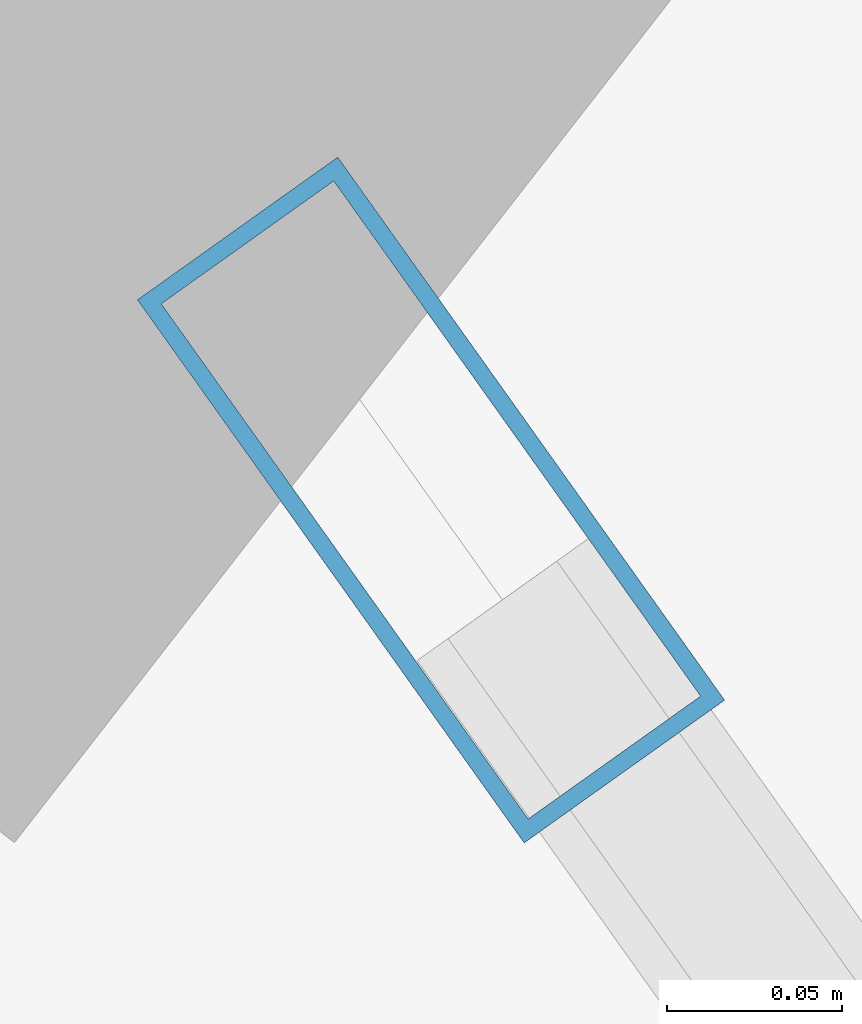
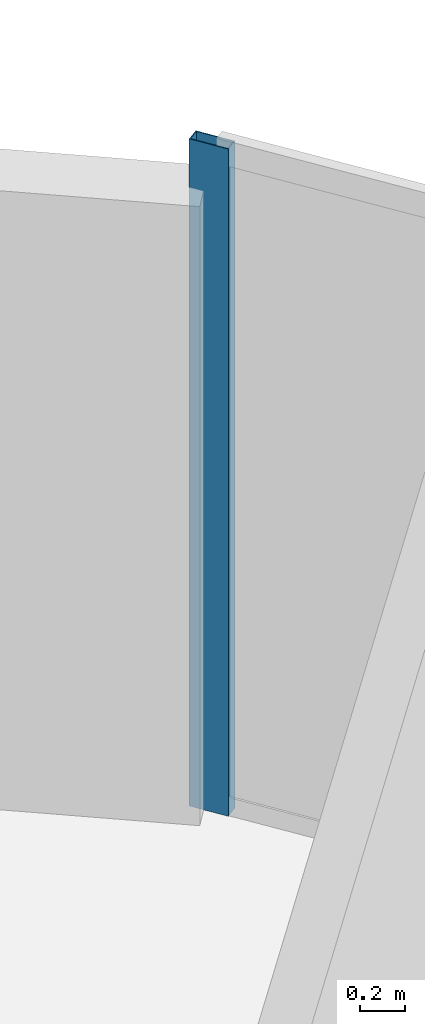
# One storey, part 17 of 25: 1 member, 1 element without a shape of its own.
"""IFC4 building model written with IfcOpenShell, lengths in metres."""

from ifc_helpers import new_model, si_unit, direction, frame, origin, origin_2d, place, context, subcontext, project, spatial, hollow_rectangle, extrude, source, transform, mapped, material, layer, layer_set, material_profile, profile_set, type_object, element, aggregate, save


model = new_model("IFC4")

# Units and contexts
model_context = context("Model", 3, precision=1e-05, world=origin(), true_north=direction((0.0, 1.0)))
body_context = subcontext(model_context, "Body", "Model", "MODEL_VIEW")
ifc_project = project(units=[si_unit("LENGTHUNIT", "METRE"), si_unit("AREAUNIT", "SQUARE_METRE"), si_unit("VOLUMEUNIT", "CUBIC_METRE"), si_unit("PLANEANGLEUNIT", "RADIAN"), si_unit("MASSUNIT", "GRAM", prefix="KILO")], contexts=[model_context])

# Site, building, storey
site_placement = place(None, origin())
site = spatial("IfcSite", under=ifc_project, at=site_placement, CompositionType="ELEMENT")
building_placement = place(site_placement, origin())
building = spatial("IfcBuilding", under=site, at=building_placement, Name="Solvirekh Grand Hotel", CompositionType="ELEMENT")
storey_placement = place(building_placement, frame((0.0, 0.0, 60.800048828125)))
storey = spatial("IfcBuildingStorey", under=building, at=storey_placement, Name="L14", CompositionType="ELEMENT", Elevation=60.800048828125)

# Curtain wall, member
ifc_material = material(Name="Anodized Bronze Aluminium 6063-T6", Category="aluminium")
ifc_layer = layer(ifc_material, 0.18994140625)
ifc_layer_set = layer_set([ifc_layer], Name="Anodized Bronze Aluminium 6063-T6")
curtain_wall_type = type_object("IfcCurtainWallType", Name="CW_Sys2_LowZoneFlushBronzeCW", PredefinedType="NOTDEFINED", material=ifc_layer_set)
curtain_wall_placement = place(storey_placement, origin())
curtain_wall = element("IfcCurtainWall", 1, at=curtain_wall_placement, inside=storey, type_object=curtain_wall_type, Name="L14 unitised bronze-glass curtain wall CW-L14-C03", PredefinedType="NOTDEFINED")
ifc_material_profile = material_profile(ifc_material, hollow_rectangle(XDim=0.070068359375, YDim=0.18994140625, WallThickness=0.0048828125, at=origin_2d()), Name="ALU RHS 190X70X5")
ifc_profile_set = profile_set([ifc_material_profile], Name="Anodized Bronze Aluminium 6063-T6")
member_type = type_object("IfcMemberType", Name="CWMullion_Sys2", PredefinedType="MULLION", material=ifc_profile_set)
shared_shape = source(origin(), body_context, "Body", "SweptSolid", [
    extrude(hollow_rectangle(XDim=0.070068359375, YDim=0.18994140625, WallThickness=0.0048828125, at=origin_2d()), origin(), (0.0, 0.0, 1.0), 3.599853515625),
])
member_placement = place(storey_placement, frame((18.88818359375, 12.930419921875, 0.0), z_axis=(0.0, 0.0, 1.0), x_axis=(-0.814521945724, -0.580132743373, 0.0)))
member = element("IfcMember", 2, at=member_placement, type_object=member_type, Name="U02 mullion 3", PredefinedType="MULLION", context=body_context, shape_type="MappedRepresentation", body=[
    mapped(shared_shape, transform((0.0, 0.0, 0.0), x_axis=(1.0, 0.0, 0.0), y_axis=(0.0, 1.0, 0.0), z_axis=(0.0, 0.0, 1.0), scale=1.0)),
])
aggregate(curtain_wall, [member])

save(model, "model.ifc")
